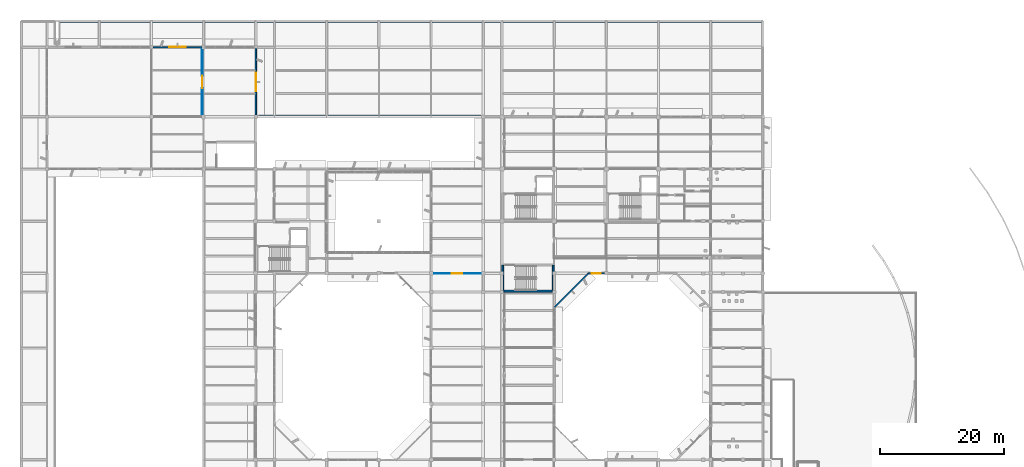
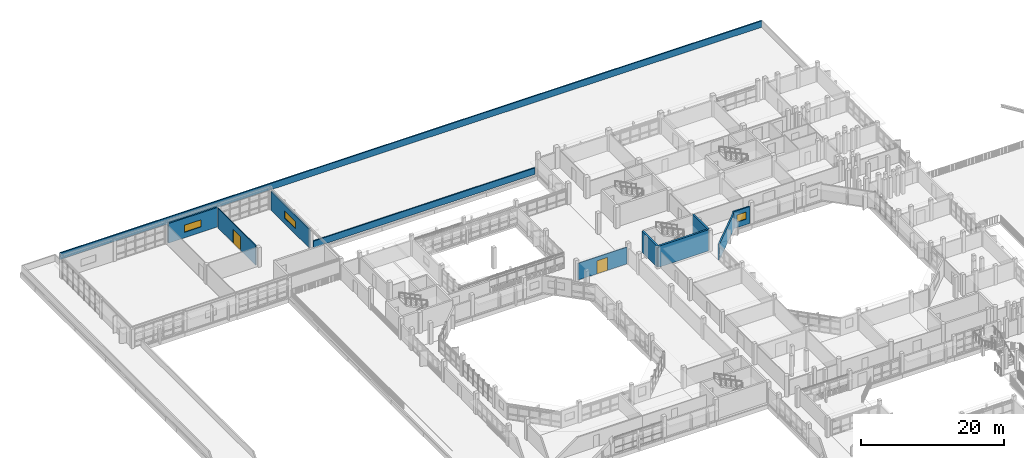
# One storey, part 63 of 92: 11 walls, 3 windows, 2 doors, 5 openings.
"""IFC4 building model written with IfcOpenShell, lengths in metres."""

from ifc_helpers import new_model, si_unit, direction, frame, frame_2d, origin, place, context, subcontext, project, spatial, rectangle, extrude, material, layer, layer_set, type_object, element, fill, save


model = new_model("IFC4")

# Units and contexts
model_context = context("Model", 3, precision=1e-05, world=origin(), true_north=direction((0.0, 1.0)))
body_context = subcontext(model_context, "Body", "Model", "MODEL_VIEW")
ifc_project = project(units=[si_unit("LENGTHUNIT", "METRE"), si_unit("AREAUNIT", "SQUARE_METRE"), si_unit("VOLUMEUNIT", "CUBIC_METRE"), si_unit("PLANEANGLEUNIT", "RADIAN"), si_unit("MASSUNIT", "GRAM", prefix="KILO")], contexts=[model_context])

# Site, building, storey
site_placement = place(None, origin())
site = spatial("IfcSite", under=ifc_project, at=site_placement, CompositionType="ELEMENT")
building_placement = place(site_placement, origin())
building = spatial("IfcBuilding", under=site, at=building_placement, Name="Vanh Quang Courtyard School", CompositionType="ELEMENT")
storey_placement = place(building_placement, frame((0.0, 0.0, 7.800048828125)))
storey = spatial("IfcBuildingStorey", under=building, at=storey_placement, Name="L02", CompositionType="ELEMENT", Elevation=7.800048828125)

# Walls
ifc_material_1 = material(Name="Concrete C35/45", Category="concrete")
ifc_layer_1 = layer(ifc_material_1, 0.300048828125)
ifc_layer_set_1 = layer_set([ifc_layer_1], Name="Concrete C35/45")
wall_type_1 = type_object("IfcWallType", Name="W-CORE-300", PredefinedType="SHEAR", material=ifc_layer_set_1)
wall_1_placement = place(storey_placement, frame((77.5400390625, 68.5400390625, 0.0), z_axis=(0.0, 0.0, 1.0), x_axis=(1.0, 0.0, 0.0)))
element("IfcWall", 1, at=wall_1_placement, inside=storey, type_object=wall_type_1, Name="Wall W-CORE1 (L02)", PredefinedType="SHEAR", context=body_context, shape_type="SweptSolid", body=[
    extrude(rectangle(XDim=8.119873046875, YDim=0.300048828125, at=frame_2d((4.06005859375, 0.0))), origin(), (0.0, 0.0, 1.0), 3.599853515625),
])
for number, where, z_axis, x_axis, name in (
    (2, (85.659912109375, 68.5400390625, 0.0), (0.0, 0.0, 1.0), (0.0, 1.0, 0.0), "Wall W-CORE1 (L02)"),
    (3, (77.5400390625, 72.739990234375, 0.0), (0.0, 0.0, 1.0), (0.0, -1.0, 0.0), "Wall W-CORE1 (L02)"),
):
    element("IfcWall", number, at=place(storey_placement, frame(where, z_axis=z_axis, x_axis=x_axis)), inside=storey, type_object=wall_type_1, Name=name, PredefinedType="SHEAR", context=body_context, shape_type="SweptSolid", body=[
        extrude(rectangle(XDim=4.199951171875, YDim=0.300048828125, at=frame_2d((2.10009765625, 0.0))), origin(), (0.0, 0.0, 1.0), 3.599853515625),
    ])

# Wall, opening, window
ifc_material_2 = material(Name="Precast concrete C40/50", Category="concrete")
ifc_layer_2 = layer(ifc_material_2, 0.239990234375)
ifc_layer_set_2 = layer_set([ifc_layer_2], Name="Precast concrete C40/50")
wall_type_2 = type_object("IfcWallType", Name="W-EXT-240", PredefinedType="SOLIDWALL", material=ifc_layer_set_2)
wall_2_placement = place(storey_placement, frame((93.927001953125, 71.39990234375, 0.0), z_axis=(0.0, 0.0, 1.0), x_axis=(-1.0, 0.0, 0.0)))
wall_2 = element("IfcWall", 4, at=wall_2_placement, inside=storey, type_object=wall_type_2, Name="Wall WE-03 (L02)", PredefinedType="SOLIDWALL", context=body_context, shape_type="SweptSolid", body=[
    extrude(rectangle(XDim=2.702880859375, YDim=0.239990234375, at=frame_2d((1.3515625, 0.0))), origin(), (0.0, 0.0, 1.0), 2.889892578125),
])
opening_1_placement = place(wall_2_placement, frame((0.6015625, 0.0, 0.949951171875)))
opening_1 = element("IfcOpeningElement", 5, at=opening_1_placement, cuts=wall_2, Name="Opening WN-02", PredefinedType="OPENING", context=body_context, shape_type="SweptSolid", body=[
    extrude(rectangle(XDim=1.5, YDim=1.199951171875, at=frame_2d((0.75, 0.60009765625))), frame((0.0, 0.1298828125, 0.0), z_axis=(0.0, -1.0, 0.0), x_axis=(1.0, 0.0, 0.0)), (0.0, 0.0, 1.0), 0.260009765625),
])
ifc_material_3 = material(Name="Anodised aluminium and low-E double glazing", Category="aluminium")
window_type_1 = type_object("IfcWindowType", Name="WIN-TYP-02", PartitioningType="SINGLE_PANEL", PredefinedType="WINDOW", material=ifc_material_3)
window_1_placement = place(opening_1_placement, origin())
window_1 = element("IfcWindow", 6, at=window_1_placement, inside=storey, type_object=window_type_1, Name="Window WN-02 (L02)", OverallHeight=1.199951171875, OverallWidth=1.5, PartitioningType="SINGLE_PANEL", PredefinedType="WINDOW", context=body_context, shape_type="SweptSolid", body=[
    extrude(rectangle(XDim=1.5, YDim=1.199951171875, at=frame_2d((0.75, 0.60009765625))), frame((0.0, 0.030029296875, 0.0), z_axis=(0.0, -1.0, 0.0), x_axis=(1.0, 0.0, 0.0)), (0.0, 0.0, 1.0), 0.06005859375),
])
fill(opening_1, window_1)

# Wall
wall_3_placement = place(storey_placement, frame((91.428955078125, 71.48486328125, 0.0), z_axis=(0.0, 0.0, 1.0), x_axis=(-0.707106781187, -0.707106781187, 0.0)))
element("IfcWall", 7, at=wall_3_placement, inside=storey, type_object=wall_type_2, Name="Wall WE-03 (L02)", PredefinedType="SOLIDWALL", context=body_context, shape_type="SweptSolid", body=[
    extrude(rectangle(XDim=8.08056640625, YDim=0.239990234375, at=frame_2d((4.040283203125, 0.0))), origin(), (0.0, 0.0, 1.0), 2.639892578125),
])

# Wall, opening, window
wall_4_placement = place(storey_placement, frame((21.248046875, 107.800048828125, 0.0), z_axis=(0.0, 0.0, 1.0), x_axis=(1.0, 0.0, 0.0)))
wall_4 = element("IfcWall", 8, at=wall_4_placement, inside=storey, type_object=wall_type_2, Name="Wall WE-03 (L02)", PredefinedType="SOLIDWALL", context=body_context, shape_type="SweptSolid", body=[
    extrude(rectangle(XDim=7.904052734375, YDim=0.239990234375, at=frame_2d((3.9521484375, 0.0))), origin(), (0.0, 0.0, 1.0), 3.33984375),
])
opening_2_placement = place(wall_4_placement, frame((2.60205078125, 0.0, 0.949951171875)))
opening_2 = element("IfcOpeningElement", 9, at=opening_2_placement, cuts=wall_4, Name="Opening WN-06", PredefinedType="OPENING", context=body_context, shape_type="SweptSolid", body=[
    extrude(rectangle(XDim=2.699951171875, YDim=1.199951171875, at=frame_2d((1.35009765625, 0.60009765625))), frame((0.0, 0.1298828125, 0.0), z_axis=(0.0, -1.0, 0.0), x_axis=(1.0, 0.0, 0.0)), (0.0, 0.0, 1.0), 0.260009765625),
])
window_type_2 = type_object("IfcWindowType", Name="WIN-TYP-06", PartitioningType="SINGLE_PANEL", PredefinedType="WINDOW", material=ifc_material_3)
window_2_placement = place(opening_2_placement, origin())
window_2 = element("IfcWindow", 10, at=window_2_placement, inside=storey, type_object=window_type_2, Name="Window WN-06 (L02)", OverallHeight=1.199951171875, OverallWidth=2.699951171875, PartitioningType="SINGLE_PANEL", PredefinedType="WINDOW", context=body_context, shape_type="SweptSolid", body=[
    extrude(rectangle(XDim=2.699951171875, YDim=1.199951171875, at=frame_2d((1.35009765625, 0.60009765625))), frame((0.0, 0.030029296875, 0.0), z_axis=(0.0, -1.0, 0.0), x_axis=(1.0, 0.0, 0.0)), (0.0, 0.0, 1.0), 0.06005859375),
])
fill(opening_2, window_2)

wall_5_placement = place(storey_placement, frame((37.800048828125, 107.552001953125, 0.0), z_axis=(0.0, 0.0, 1.0), x_axis=(0.0, -1.0, 0.0)))
wall_5 = element("IfcWall", 11, at=wall_5_placement, inside=storey, type_object=wall_type_2, Name="Wall WE-03 (L02)", PredefinedType="SOLIDWALL", context=body_context, shape_type="SweptSolid", body=[
    extrude(rectangle(XDim=10.7041015625, YDim=0.239990234375, at=frame_2d((5.35205078125, 0.0))), origin(), (0.0, 0.0, 1.0), 3.199951171875),
])
opening_3_placement = place(wall_5_placement, frame((3.85205078125, 0.0, 0.949951171875)))
opening_3 = element("IfcOpeningElement", 12, at=opening_3_placement, cuts=wall_5, Name="Opening WN-07", PredefinedType="OPENING", context=body_context, shape_type="SweptSolid", body=[
    extrude(rectangle(XDim=3.0, YDim=1.199951171875, at=frame_2d((1.5, 0.60009765625))), frame((0.0, 0.1298828125, 0.0), z_axis=(0.0, -1.0, 0.0), x_axis=(1.0, 0.0, 0.0)), (0.0, 0.0, 1.0), 0.260009765625),
])
window_type_3 = type_object("IfcWindowType", Name="WIN-TYP-07", PartitioningType="SINGLE_PANEL", PredefinedType="WINDOW", material=ifc_material_3)
window_3_placement = place(opening_3_placement, origin())
window_3 = element("IfcWindow", 13, at=window_3_placement, inside=storey, type_object=window_type_3, Name="Window WN-07 (L02)", OverallHeight=1.199951171875, OverallWidth=3.0, PartitioningType="SINGLE_PANEL", PredefinedType="WINDOW", context=body_context, shape_type="SweptSolid", body=[
    extrude(rectangle(XDim=3.0, YDim=1.199951171875, at=frame_2d((1.5, 0.60009765625))), frame((0.0, 0.030029296875, 0.0), z_axis=(0.0, -1.0, 0.0), x_axis=(1.0, 0.0, 0.0)), (0.0, 0.0, 1.0), 0.06005859375),
])
fill(opening_3, window_3)

# Walls
ifc_layer_3 = layer(ifc_material_1, 0.199951171875)
ifc_layer_set_3 = layer_set([ifc_layer_3], Name="Concrete C35/45")
wall_type_3 = type_object("IfcWallType", Name="W-PAR-200", PredefinedType="PARAPET", material=ifc_layer_set_3)
wall_6_placement = place(storey_placement, frame((73.966796875, 96.719970703125, 0.0), z_axis=(0.0, 0.0, 1.0), x_axis=(-1.0, 0.0, 0.0)))
element("IfcWall", 14, at=wall_6_placement, inside=storey, type_object=wall_type_3, Name="Wall WP-01 (L02)", PredefinedType="PARAPET", context=body_context, shape_type="SweptSolid", body=[
    extrude(rectangle(XDim=35.716796875, YDim=0.199951171875, at=frame_2d((17.8583984375, 0.0))), origin(), (0.0, 0.0, 1.0), 1.099853515625),
])
wall_7_placement = place(storey_placement, frame((6.169921875, 111.8798828125, 0.0), z_axis=(0.0, 0.0, 1.0), x_axis=(1.0, 0.0, 0.0)))
element("IfcWall", 15, at=wall_7_placement, inside=storey, type_object=wall_type_3, Name="Wall WP-01 (L02)", PredefinedType="PARAPET", context=body_context, shape_type="SweptSolid", body=[
    extrude(rectangle(XDim=113.110107421875, YDim=0.199951171875, at=frame_2d((56.55517578125, 0.0))), origin(), (0.0, 0.0, 1.0), 1.099853515625),
])

# Wall, opening, door
ifc_material_4 = material(Name="Acoustic gypsum stud partition", Category="gypsum")
ifc_layer_4 = layer(ifc_material_4, 0.1201171875)
ifc_layer_set_4 = layer_set([ifc_layer_4], Name="Acoustic gypsum stud partition")
wall_type_4 = type_object("IfcWallType", Name="W-PART-120", PredefinedType="PARTITIONING", material=ifc_layer_set_4)
wall_8_placement = place(storey_placement, frame((66.27294921875, 71.39990234375, 0.0), z_axis=(0.0, 0.0, 1.0), x_axis=(1.0, 0.0, 0.0)))
wall_8 = element("IfcWall", 16, at=wall_8_placement, inside=storey, type_object=wall_type_4, Name="Wall W-PRT2 (L02)", PredefinedType="PARTITIONING", context=body_context, shape_type="SweptSolid", body=[
    extrude(rectangle(XDim=7.85400390625, YDim=0.1201171875, at=frame_2d((3.927001953125, 0.0))), origin(), (0.0, 0.0, 1.0), 2.849853515625),
])
opening_4_placement = place(wall_8_placement, frame((3.076904296875, 0.0, 0.0)))
opening_4 = element("IfcOpeningElement", 17, at=opening_4_placement, cuts=wall_8, Name="Opening L02-D104", PredefinedType="OPENING", context=body_context, shape_type="SweptSolid", body=[
    extrude(rectangle(XDim=1.699951171875, YDim=2.199951171875, at=frame_2d((0.85009765625, 1.10009765625))), frame((0.0, 0.070068359375, 0.0), z_axis=(0.0, -1.0, 0.0), x_axis=(1.0, 0.0, 0.0)), (0.0, 0.0, 1.0), 0.14013671875),
])
ifc_material_5 = material(Name="Solid-core hardwood acoustic door", Category="wood")
door_type_1 = type_object("IfcDoorType", Name="IDR-LIB-1700x2200", OperationType="NOTDEFINED", PredefinedType="DOOR", material=ifc_material_5)
door_1_placement = place(opening_4_placement, origin())
door_1 = element("IfcDoor", 18, at=door_1_placement, inside=storey, type_object=door_type_1, Name="Door L02-D104 (L02)", OperationType="DOUBLE_DOOR_SINGLE_SWING", OverallHeight=2.199951171875, OverallWidth=1.699951171875, PredefinedType="DOOR", context=body_context, shape_type="SweptSolid", body=[
    extrude(rectangle(XDim=1.699951171875, YDim=2.199951171875, at=frame_2d((0.85009765625, 1.10009765625))), frame((0.0, 0.02490234375, 0.0), z_axis=(0.0, -1.0, 0.0), x_axis=(1.0, 0.0, 0.0)), (0.0, 0.0, 1.0), 0.050048828125),
])
fill(opening_4, door_1)

ifc_material_6 = material(Name="Autoclaved aerated masonry blockwork", Category="masonry")
ifc_layer_5 = layer(ifc_material_6, 0.14990234375)
ifc_layer_set_5 = layer_set([ifc_layer_5], Name="Autoclaved aerated masonry blockwork")
wall_type_5 = type_object("IfcWallType", Name="W-PART-150", PredefinedType="PARTITIONING", material=ifc_layer_set_5)
wall_9_placement = place(storey_placement, frame((29.179931640625, 107.47705078125, 0.0), z_axis=(0.0, 0.0, 1.0), x_axis=(0.0, -1.0, 0.0)))
wall_9 = element("IfcWall", 19, at=wall_9_placement, inside=storey, type_object=wall_type_5, Name="Wall W-PRT1 (L02)", PredefinedType="PARTITIONING", context=body_context, shape_type="SweptSolid", body=[
    extrude(rectangle(XDim=10.553955078125, YDim=0.14990234375, at=frame_2d((5.27685546875, 0.0))), origin(), (0.0, 0.0, 1.0), 3.33984375),
])
opening_5_placement = place(wall_9_placement, frame((4.251953125, 0.0, 0.0)))
opening_5 = element("IfcOpeningElement", 20, at=opening_5_placement, cuts=wall_9, Name="Opening L02-D099", PredefinedType="OPENING", context=body_context, shape_type="SweptSolid", body=[
    extrude(rectangle(XDim=2.050048828125, YDim=2.35009765625, at=frame_2d((1.02490234375, 1.175048828125))), frame((0.0, 0.0849609375, 0.0), z_axis=(0.0, -1.0, 0.0), x_axis=(1.0, 0.0, 0.0)), (0.0, 0.0, 1.0), 0.169921875),
])
ifc_material_7 = material(Name="Painted galvanised steel fire door", Category="steel")
door_type_2 = type_object("IfcDoorType", Name="IDR-HAL-2050x2350", OperationType="NOTDEFINED", PredefinedType="DOOR", material=ifc_material_7)
door_2_placement = place(opening_5_placement, origin())
door_2 = element("IfcDoor", 21, at=door_2_placement, inside=storey, type_object=door_type_2, Name="Door L02-D099 (L02)", OperationType="DOUBLE_DOOR_SINGLE_SWING", OverallHeight=2.35009765625, OverallWidth=2.050048828125, PredefinedType="DOOR", context=body_context, shape_type="SweptSolid", body=[
    extrude(rectangle(XDim=2.050048828125, YDim=2.35009765625, at=frame_2d((1.02490234375, 1.175048828125))), frame((0.0, 0.02490234375, 0.0), z_axis=(0.0, -1.0, 0.0), x_axis=(1.0, 0.0, 0.0)), (0.0, 0.0, 1.0), 0.050048828125),
])
fill(opening_5, door_2)

save(model, "model.ifc")
